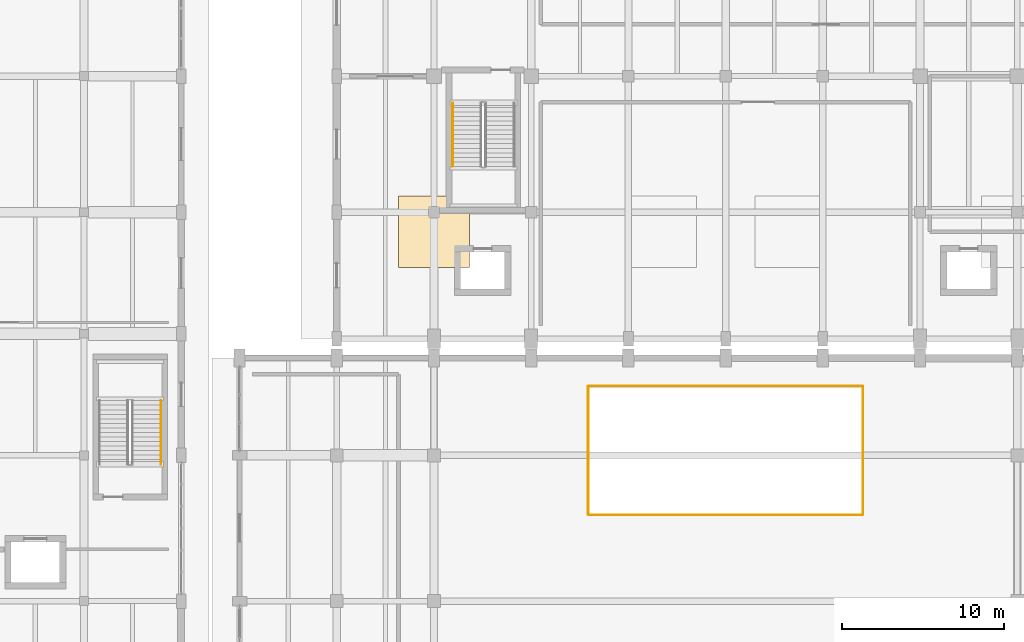
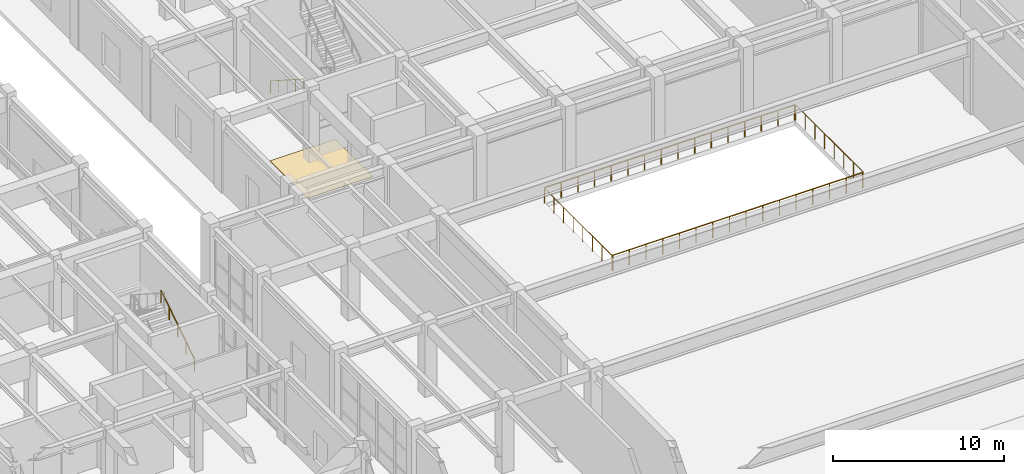
# One storey, part 88 of 91: 6 railings, 1 covering.
"""IFC4 building model written with IfcOpenShell, lengths in metres."""

from ifc_helpers import new_model, si_unit, direction, frame, origin, origin_2d, place, context, subcontext, project, spatial, polyline, circle, outline, extrude, material, layer, layer_set, type_object, element, save


model = new_model("IFC4")

# Units and contexts
model_context = context("Model", 3, precision=1e-05, world=origin(), true_north=direction((0.0, 1.0)))
body_context = subcontext(model_context, "Body", "Model", "MODEL_VIEW")
ifc_project = project(units=[si_unit("LENGTHUNIT", "METRE"), si_unit("AREAUNIT", "SQUARE_METRE"), si_unit("VOLUMEUNIT", "CUBIC_METRE"), si_unit("PLANEANGLEUNIT", "RADIAN"), si_unit("MASSUNIT", "GRAM", prefix="KILO")], contexts=[model_context])

# Site, building, storey
site_placement = place(None, origin())
site = spatial("IfcSite", under=ifc_project, at=site_placement, CompositionType="ELEMENT")
building_placement = place(site_placement, origin())
building = spatial("IfcBuilding", under=site, at=building_placement, Name="Vaelkrest Opera House", CompositionType="ELEMENT")
storey_placement = place(building_placement, origin())
storey = spatial("IfcBuildingStorey", under=building, at=storey_placement, Name="L00", CompositionType="ELEMENT", Elevation=0.0)

# Railings
ifc_material_1 = material(Name="Dark bronze anodized aluminium", Category="aluminium")
railing_type_1 = type_object("IfcRailingType", Name="BL01", PredefinedType="BALUSTRADE", material=ifc_material_1)
railing_1_placement = place(storey_placement, frame((-8.43994140625, 6.52001953125, 0.0)))
element("IfcRailing", 1, at=railing_1_placement, inside=storey, type_object=railing_type_1, Name="Atrium/stage void guard V1 L00-1 seg 1", PredefinedType="BALUSTRADE", context=body_context, shape_type="SweptSolid", body=[
    extrude(circle(Radius=0.02392578125, at=origin_2d()), frame((0.0, 0.0, 1.09619140625), z_axis=(1.0, 0.0, 0.0), x_axis=(0.0, 1.0, 0.0)), (0.0, 0.0, 1.0), 16.8798828125),
    extrude(circle(Radius=0.02099609375, at=origin_2d()), origin(), (0.0, 0.0, 1.0), 1.072021484375),
    extrude(circle(Radius=0.02099609375, at=origin_2d()), frame((1.125244140625, 0.0, 0.0)), (0.0, 0.0, 1.0), 1.072021484375),
    extrude(circle(Radius=0.02099609375, at=origin_2d()), frame((2.250732421875, 0.0, 0.0)), (0.0, 0.0, 1.0), 1.072021484375),
    extrude(circle(Radius=0.02099609375, at=origin_2d()), frame((3.3759765625, 0.0, 0.0)), (0.0, 0.0, 1.0), 1.072021484375),
    extrude(circle(Radius=0.02099609375, at=origin_2d()), frame((4.501220703125, 0.0, 0.0)), (0.0, 0.0, 1.0), 1.072021484375),
    extrude(circle(Radius=0.02099609375, at=origin_2d()), frame((5.626708984375, 0.0, 0.0)), (0.0, 0.0, 1.0), 1.072021484375),
    extrude(circle(Radius=0.02099609375, at=origin_2d()), frame((6.751953125, 0.0, 0.0)), (0.0, 0.0, 1.0), 1.072021484375),
    extrude(circle(Radius=0.02099609375, at=origin_2d()), frame((7.877197265625, 0.0, 0.0)), (0.0, 0.0, 1.0), 1.072021484375),
    extrude(circle(Radius=0.02099609375, at=origin_2d()), frame((9.002685546875, 0.0, 0.0)), (0.0, 0.0, 1.0), 1.072021484375),
    extrude(circle(Radius=0.02099609375, at=origin_2d()), frame((10.1279296875, 0.0, 0.0)), (0.0, 0.0, 1.0), 1.072021484375),
    extrude(circle(Radius=0.02099609375, at=origin_2d()), frame((11.253173828125, 0.0, 0.0)), (0.0, 0.0, 1.0), 1.072021484375),
    extrude(circle(Radius=0.02099609375, at=origin_2d()), frame((12.378662109375, 0.0, 0.0)), (0.0, 0.0, 1.0), 1.072021484375),
    extrude(circle(Radius=0.02099609375, at=origin_2d()), frame((13.50390625, 0.0, 0.0)), (0.0, 0.0, 1.0), 1.072021484375),
    extrude(circle(Radius=0.02099609375, at=origin_2d()), frame((14.629150390625, 0.0, 0.0)), (0.0, 0.0, 1.0), 1.072021484375),
    extrude(circle(Radius=0.02099609375, at=origin_2d()), frame((15.754638671875, 0.0, 0.0)), (0.0, 0.0, 1.0), 1.072021484375),
    extrude(circle(Radius=0.02099609375, at=origin_2d()), frame((16.8798828125, 0.0, 0.0)), (0.0, 0.0, 1.0), 1.072021484375),
])
railing_2_placement = place(storey_placement, frame((8.47998046875, 6.56005859375, 0.0)))
element("IfcRailing", 2, at=railing_2_placement, inside=storey, type_object=railing_type_1, Name="Atrium/stage void guard V1 L00-1 seg 2", PredefinedType="BALUSTRADE", context=body_context, shape_type="SweptSolid", body=[
    extrude(circle(Radius=0.02392578125, at=origin_2d()), frame((0.0, 0.0, 1.09619140625), z_axis=(0.0, 1.0, 0.0), x_axis=(-1.0, 0.0, 0.0)), (0.0, 0.0, 1.0), 7.8798828125),
    extrude(circle(Radius=0.02099609375, at=origin_2d()), origin(), (0.0, 0.0, 1.0), 1.072021484375),
    extrude(circle(Radius=0.02099609375, at=origin_2d()), frame((0.0, 1.125732421875, 0.0)), (0.0, 0.0, 1.0), 1.072021484375),
    extrude(circle(Radius=0.02099609375, at=origin_2d()), frame((0.0, 2.25146484375, 0.0)), (0.0, 0.0, 1.0), 1.072021484375),
    extrude(circle(Radius=0.02099609375, at=origin_2d()), frame((0.0, 3.377197265625, 0.0)), (0.0, 0.0, 1.0), 1.072021484375),
    extrude(circle(Radius=0.02099609375, at=origin_2d()), frame((0.0, 4.502685546875, 0.0)), (0.0, 0.0, 1.0), 1.072021484375),
    extrude(circle(Radius=0.02099609375, at=origin_2d()), frame((0.0, 5.62841796875, 0.0)), (0.0, 0.0, 1.0), 1.072021484375),
    extrude(circle(Radius=0.02099609375, at=origin_2d()), frame((0.0, 6.754150390625, 0.0)), (0.0, 0.0, 1.0), 1.072021484375),
    extrude(circle(Radius=0.02099609375, at=origin_2d()), frame((0.0, 7.8798828125, 0.0)), (0.0, 0.0, 1.0), 1.072021484375),
])
railing_3_placement = place(storey_placement, frame((8.43994140625, 14.47998046875, 0.0)))
element("IfcRailing", 3, at=railing_3_placement, inside=storey, type_object=railing_type_1, Name="Atrium/stage void guard V1 L00-1 seg 3", PredefinedType="BALUSTRADE", context=body_context, shape_type="SweptSolid", body=[
    extrude(circle(Radius=0.02392578125, at=origin_2d()), frame((0.0, 0.0, 1.09619140625), z_axis=(-1.0, 0.0, 0.0), x_axis=(0.0, -1.0, 0.0)), (0.0, 0.0, 1.0), 16.8798828125),
    extrude(circle(Radius=0.02099609375, at=origin_2d()), origin(), (0.0, 0.0, 1.0), 1.072021484375),
    extrude(circle(Radius=0.02099609375, at=origin_2d()), frame((-1.125244140625, 0.0, 0.0)), (0.0, 0.0, 1.0), 1.072021484375),
    extrude(circle(Radius=0.02099609375, at=origin_2d()), frame((-2.250732421875, 0.0, 0.0)), (0.0, 0.0, 1.0), 1.072021484375),
    extrude(circle(Radius=0.02099609375, at=origin_2d()), frame((-3.3759765625, 0.0, 0.0)), (0.0, 0.0, 1.0), 1.072021484375),
    extrude(circle(Radius=0.02099609375, at=origin_2d()), frame((-4.501220703125, 0.0, 0.0)), (0.0, 0.0, 1.0), 1.072021484375),
    extrude(circle(Radius=0.02099609375, at=origin_2d()), frame((-5.626708984375, 0.0, 0.0)), (0.0, 0.0, 1.0), 1.072021484375),
    extrude(circle(Radius=0.02099609375, at=origin_2d()), frame((-6.751953125, 0.0, 0.0)), (0.0, 0.0, 1.0), 1.072021484375),
    extrude(circle(Radius=0.02099609375, at=origin_2d()), frame((-7.877197265625, 0.0, 0.0)), (0.0, 0.0, 1.0), 1.072021484375),
    extrude(circle(Radius=0.02099609375, at=origin_2d()), frame((-9.002685546875, 0.0, 0.0)), (0.0, 0.0, 1.0), 1.072021484375),
    extrude(circle(Radius=0.02099609375, at=origin_2d()), frame((-10.1279296875, 0.0, 0.0)), (0.0, 0.0, 1.0), 1.072021484375),
    extrude(circle(Radius=0.02099609375, at=origin_2d()), frame((-11.253173828125, 0.0, 0.0)), (0.0, 0.0, 1.0), 1.072021484375),
    extrude(circle(Radius=0.02099609375, at=origin_2d()), frame((-12.378662109375, 0.0, 0.0)), (0.0, 0.0, 1.0), 1.072021484375),
    extrude(circle(Radius=0.02099609375, at=origin_2d()), frame((-13.50390625, 0.0, 0.0)), (0.0, 0.0, 1.0), 1.072021484375),
    extrude(circle(Radius=0.02099609375, at=origin_2d()), frame((-14.629150390625, 0.0, 0.0)), (0.0, 0.0, 1.0), 1.072021484375),
    extrude(circle(Radius=0.02099609375, at=origin_2d()), frame((-15.754638671875, 0.0, 0.0)), (0.0, 0.0, 1.0), 1.072021484375),
    extrude(circle(Radius=0.02099609375, at=origin_2d()), frame((-16.8798828125, 0.0, 0.0)), (0.0, 0.0, 1.0), 1.072021484375),
])
railing_4_placement = place(storey_placement, frame((-8.47998046875, 14.43994140625, 0.0)))
element("IfcRailing", 4, at=railing_4_placement, inside=storey, type_object=railing_type_1, Name="Atrium/stage void guard V1 L00-1 seg 4", PredefinedType="BALUSTRADE", context=body_context, shape_type="SweptSolid", body=[
    extrude(circle(Radius=0.02392578125, at=origin_2d()), frame((0.0, 0.0, 1.09619140625), z_axis=(0.0, -1.0, 0.0), x_axis=(1.0, 0.0, 0.0)), (0.0, 0.0, 1.0), 7.8798828125),
    extrude(circle(Radius=0.02099609375, at=origin_2d()), origin(), (0.0, 0.0, 1.0), 1.072021484375),
    extrude(circle(Radius=0.02099609375, at=origin_2d()), frame((0.0, -1.125732421875, 0.0)), (0.0, 0.0, 1.0), 1.072021484375),
    extrude(circle(Radius=0.02099609375, at=origin_2d()), frame((0.0, -2.25146484375, 0.0)), (0.0, 0.0, 1.0), 1.072021484375),
    extrude(circle(Radius=0.02099609375, at=origin_2d()), frame((0.0, -3.377197265625, 0.0)), (0.0, 0.0, 1.0), 1.072021484375),
    extrude(circle(Radius=0.02099609375, at=origin_2d()), frame((0.0, -4.502685546875, 0.0)), (0.0, 0.0, 1.0), 1.072021484375),
    extrude(circle(Radius=0.02099609375, at=origin_2d()), frame((0.0, -5.62841796875, 0.0)), (0.0, 0.0, 1.0), 1.072021484375),
    extrude(circle(Radius=0.02099609375, at=origin_2d()), frame((0.0, -6.754150390625, 0.0)), (0.0, 0.0, 1.0), 1.072021484375),
    extrude(circle(Radius=0.02099609375, at=origin_2d()), frame((0.0, -7.8798828125, 0.0)), (0.0, 0.0, 1.0), 1.072021484375),
])

# Covering
ifc_material_2 = material(Name="Douglas fir glulam GL28h", Category="wood")
ifc_layer = layer(ifc_material_2, 0.02490234375)
ifc_layer_set = layer_set([ifc_layer], Name="Douglas fir glulam GL28h")
covering_type = type_object("IfcCoveringType", Name="COV-FLR01", PredefinedType="FLOORING", material=ifc_layer_set)
covering_placement = place(storey_placement, origin())
element("IfcCovering", 5, at=covering_placement, inside=storey, type_object=covering_type, Name="Sprung Douglas fir stage flooring 03", PredefinedType="FLOORING", context=body_context, shape_type="SweptSolid", body=[
    extrude(outline(polyline([(-20.199951171875, 21.800048828125), (-15.800048828125, 21.800048828125), (-15.800048828125, 26.199951171875), (-20.199951171875, 26.199951171875), (-20.199951171875, 21.800048828125)])), origin(), (0.0, 0.0, 1.0), 0.02490234375),
])

# Railings
railing_type_2 = type_object("IfcRailingType", Name="HR02", PredefinedType="HANDRAIL", material=ifc_material_1)
railing_5_placement = place(storey_placement, frame((-16.85009765625, 31.949951171875, 0.179931640625)))
element("IfcRailing", 6, at=railing_5_placement, inside=storey, type_object=railing_type_2, Name="L00 ST05 stair handrail 1", PredefinedType="HANDRAIL", context=body_context, shape_type="SweptSolid", body=[
    extrude(circle(Radius=0.02392578125, at=origin_2d()), frame((0.0, 0.0, 0.8759765625), z_axis=(0.0, -0.841171666519, 0.540768182723), x_axis=(1.0, 0.0, 0.0)), (0.0, 0.0, 1.0), 4.66015625),
    extrude(circle(Radius=0.02099609375, at=origin_2d()), origin(), (0.0, 0.0, 1.0), 0.851806640625),
    extrude(circle(Radius=0.02099609375, at=origin_2d()), frame((0.0, -0.97998046875, 0.6298828125)), (0.0, 0.0, 1.0), 0.851806640625),
    extrude(circle(Radius=0.02099609375, at=origin_2d()), frame((0.0, -1.9599609375, 1.260009765625)), (0.0, 0.0, 1.0), 0.851806640625),
    extrude(circle(Radius=0.02099609375, at=origin_2d()), frame((0.0, -2.93994140625, 1.89013671875)), (0.0, 0.0, 1.0), 0.851806640625),
    extrude(circle(Radius=0.02099609375, at=origin_2d()), frame((0.0, -3.919921875, 2.52001953125)), (0.0, 0.0, 1.0), 0.851806640625),
])
railing_6_placement = place(storey_placement, frame((-34.85009765625, 9.64990234375, 0.179931640625)))
element("IfcRailing", 7, at=railing_6_placement, inside=storey, type_object=railing_type_2, Name="L00 ST08 stair handrail 1", PredefinedType="HANDRAIL", context=body_context, shape_type="SweptSolid", body=[
    extrude(circle(Radius=0.02392578125, at=origin_2d()), frame((0.0, 0.0, 0.8759765625), z_axis=(0.0, 0.841186985886, 0.540744352514), x_axis=(-1.0, 0.0, 0.0)), (0.0, 0.0, 1.0), 4.660400390625),
    extrude(circle(Radius=0.02099609375, at=origin_2d()), origin(), (0.0, 0.0, 1.0), 0.851806640625),
    extrude(circle(Radius=0.02099609375, at=origin_2d()), frame((0.0, 0.97998046875, 0.6298828125)), (0.0, 0.0, 1.0), 0.851806640625),
    extrude(circle(Radius=0.02099609375, at=origin_2d()), frame((0.0, 1.9599609375, 1.260009765625)), (0.0, 0.0, 1.0), 0.851806640625),
    extrude(circle(Radius=0.02099609375, at=origin_2d()), frame((0.0, 2.940185546875, 1.89013671875)), (0.0, 0.0, 1.0), 0.851806640625),
    extrude(circle(Radius=0.02099609375, at=origin_2d()), frame((0.0, 3.920166015625, 2.52001953125)), (0.0, 0.0, 1.0), 0.851806640625),
])

save(model, "model.ifc")
